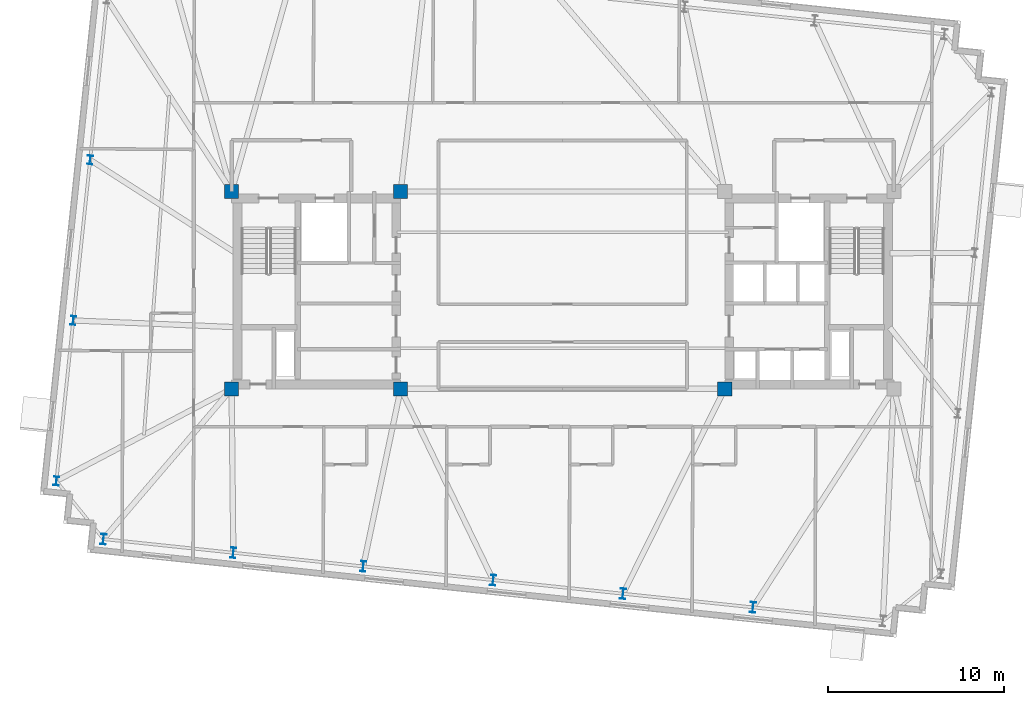
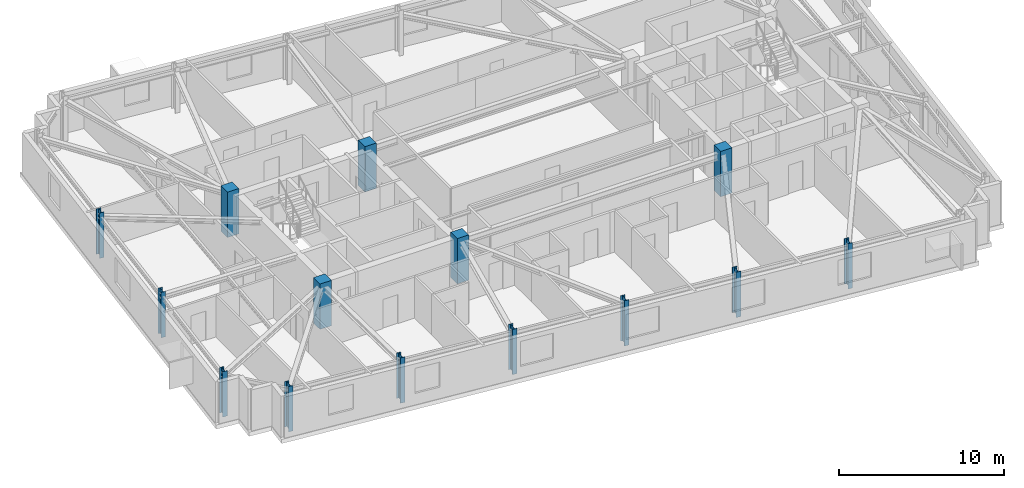
# One storey, part 1 of 11: 14 columns.
"""IFC4 building model written with IfcOpenShell, lengths in metres."""

from ifc_helpers import new_model, si_unit, direction, frame, origin, origin_2d, place, context, subcontext, project, spatial, rectangle, i_section, extrude, material, material_profile, profile_set, type_object, element, save


model = new_model("IFC4")

# Units and contexts
model_context = context("Model", 3, precision=1e-05, world=origin(), true_north=direction((0.0, 1.0)))
body_context = subcontext(model_context, "Body", "Model", "MODEL_VIEW")
ifc_project = project(units=[si_unit("LENGTHUNIT", "METRE"), si_unit("AREAUNIT", "SQUARE_METRE"), si_unit("VOLUMEUNIT", "CUBIC_METRE"), si_unit("PLANEANGLEUNIT", "RADIAN"), si_unit("MASSUNIT", "GRAM", prefix="KILO")], contexts=[model_context])

# Site, building, storey
site_placement = place(None, origin())
site = spatial("IfcSite", under=ifc_project, at=site_placement, CompositionType="ELEMENT")
building_placement = place(site_placement, origin())
building = spatial("IfcBuilding", under=site, at=building_placement, Name="Qobustan Lattice House", CompositionType="ELEMENT")
storey_placement = place(building_placement, frame((0.0, 0.0, 216.5)))
storey = spatial("IfcBuildingStorey", under=building, at=storey_placement, Name="L61", CompositionType="ELEMENT", Elevation=216.5)

# Columns
ifc_material_1 = material(Name="Concrete C50/60", Category="concrete")
ifc_material_profile_1 = material_profile(ifc_material_1, rectangle(XDim=0.800048828125, YDim=0.800048828125, at=origin_2d()), Name="RC800x800")
ifc_profile_set_1 = profile_set([ifc_material_profile_1], Name="Concrete C50/60")
column_type_1 = type_object("IfcColumnType", Name="COL-RC-800", PredefinedType="COLUMN", material=ifc_profile_set_1)
for number, where, z_axis, x_axis, name in (
    (1, (-18.800048828125, -5.60009765625, 0.0), (0.0, 0.0, 1.0), (1.0, 0.0, 0.0), "L61 core mega-column CW-SW"),
    (2, (-18.800048828125, 5.60009765625, 0.0), (0.0, 0.0, 1.0), (1.0, 0.0, 0.0), "L61 core mega-column CW-NW"),
    (3, (-9.199951171875, -5.60009765625, 0.0), (0.0, 0.0, 1.0), (1.0, 0.0, 0.0), "L61 core mega-column CW-SE"),
    (4, (-9.199951171875, 5.60009765625, 0.0), (0.0, 0.0, 1.0), (1.0, 0.0, 0.0), "L61 core mega-column CW-NE"),
    (5, (9.199951171875, -5.60009765625, 0.0), (0.0, 0.0, 1.0), (1.0, 0.0, 0.0), "L61 core mega-column CE-SW"),
):
    element("IfcColumn", number, at=place(storey_placement, frame(where, z_axis=z_axis, x_axis=x_axis)), inside=storey, type_object=column_type_1, Name=name, PredefinedType="COLUMN", context=body_context, shape_type="SweptSolid", body=[
        extrude(rectangle(XDim=0.800048828125, YDim=0.800048828125, at=origin_2d()), origin(), (0.0, 0.0, 1.0), 3.35009765625),
    ])
ifc_material_2 = material(Name="Steel S355", Category="steel")
ifc_material_profile_2 = material_profile(ifc_material_2, i_section(OverallWidth=0.300048828125, OverallDepth=0.5, WebThickness=0.014404296875, FlangeThickness=0.028076171875, FilletRadius=0.027099609375, at=origin_2d()), Name="HEB500")
ifc_profile_set_2 = profile_set([ifc_material_profile_2], Name="Steel S355")
column_type_2 = type_object("IfcColumnType", Name="COL-ST-HEB500", PredefinedType="COLUMN", material=ifc_profile_set_2)
for number, where, z_axis, x_axis, name in (
    (6, (-26.83251953125, 7.397705078125, 0.0), (0.0, 0.0, 1.0), (0.994521895368, -0.104528463268, 0.0), "L61 B4 perimeter column W2"),
    (7, (-27.790771484375, -1.718994140625, 0.0), (0.0, 0.0, 1.0), (0.994521895368, -0.104528463268, 0.0), "L61 B4 perimeter column W3"),
    (8, (-28.748779296875, -10.835205078125, 0.0), (0.0, 0.0, 1.0), (0.994521895368, -0.104528463268, 0.0), "L61 B4 perimeter column W4"),
):
    element("IfcColumn", number, at=place(storey_placement, frame(where, z_axis=z_axis, x_axis=x_axis)), inside=storey, type_object=column_type_2, Name=name, PredefinedType="COLUMN", context=body_context, shape_type="SweptSolid", body=[
        extrude(i_section(OverallWidth=0.300048828125, OverallDepth=0.5, WebThickness=0.014404296875, FlangeThickness=0.028076171875, FilletRadius=0.027099609375, at=origin_2d()), origin(), (0.0, 0.0, 1.0), 3.35009765625),
    ])
ifc_material_3 = material(Name="Steel S355", Category="steel")
ifc_material_profile_3 = material_profile(ifc_material_3, i_section(OverallWidth=0.300048828125, OverallDepth=0.60009765625, WebThickness=0.015380859375, FlangeThickness=0.030029296875, FilletRadius=0.027099609375, at=origin_2d()), Name="HEB600")
ifc_profile_set_3 = profile_set([ifc_material_profile_3], Name="Steel S355")
column_type_3 = type_object("IfcColumnType", Name="COL-ST-HEB600", PredefinedType="COLUMN", material=ifc_profile_set_3)
for number, where, z_axis, x_axis, name in (
    (9, (-26.0791015625, -14.132568359375, 0.0), (0.0, 0.0, 1.0), (0.994521895368, -0.104528463268, 0.0), "L61 B4 perimeter column S1"),
    (10, (-18.702880859375, -14.90771484375, 0.0), (0.0, 0.0, 1.0), (0.994521895368, -0.104528463268, 0.0), "L61 B4 perimeter column S2"),
    (11, (-11.326904296875, -15.68310546875, 0.0), (0.0, 0.0, 1.0), (0.994521895368, -0.104528463268, 0.0), "L61 B4 perimeter column S3"),
    (12, (-3.950927734375, -16.458251953125, 0.0), (0.0, 0.0, 1.0), (0.994521895368, -0.104528463268, 0.0), "L61 B4 perimeter column S4"),
    (13, (3.42529296875, -17.2333984375, 0.0), (0.0, 0.0, 1.0), (0.994521895368, -0.104528463268, 0.0), "L61 B4 perimeter column S5"),
    (14, (10.80126953125, -18.0087890625, 0.0), (0.0, 0.0, 1.0), (0.994521895368, -0.104528463268, 0.0), "L61 B4 perimeter column S6"),
):
    element("IfcColumn", number, at=place(storey_placement, frame(where, z_axis=z_axis, x_axis=x_axis)), inside=storey, type_object=column_type_3, Name=name, PredefinedType="COLUMN", context=body_context, shape_type="SweptSolid", body=[
        extrude(i_section(OverallWidth=0.300048828125, OverallDepth=0.60009765625, WebThickness=0.015380859375, FlangeThickness=0.030029296875, FilletRadius=0.027099609375, at=origin_2d()), origin(), (0.0, 0.0, 1.0), 3.35009765625),
    ])

save(model, "model.ifc")
